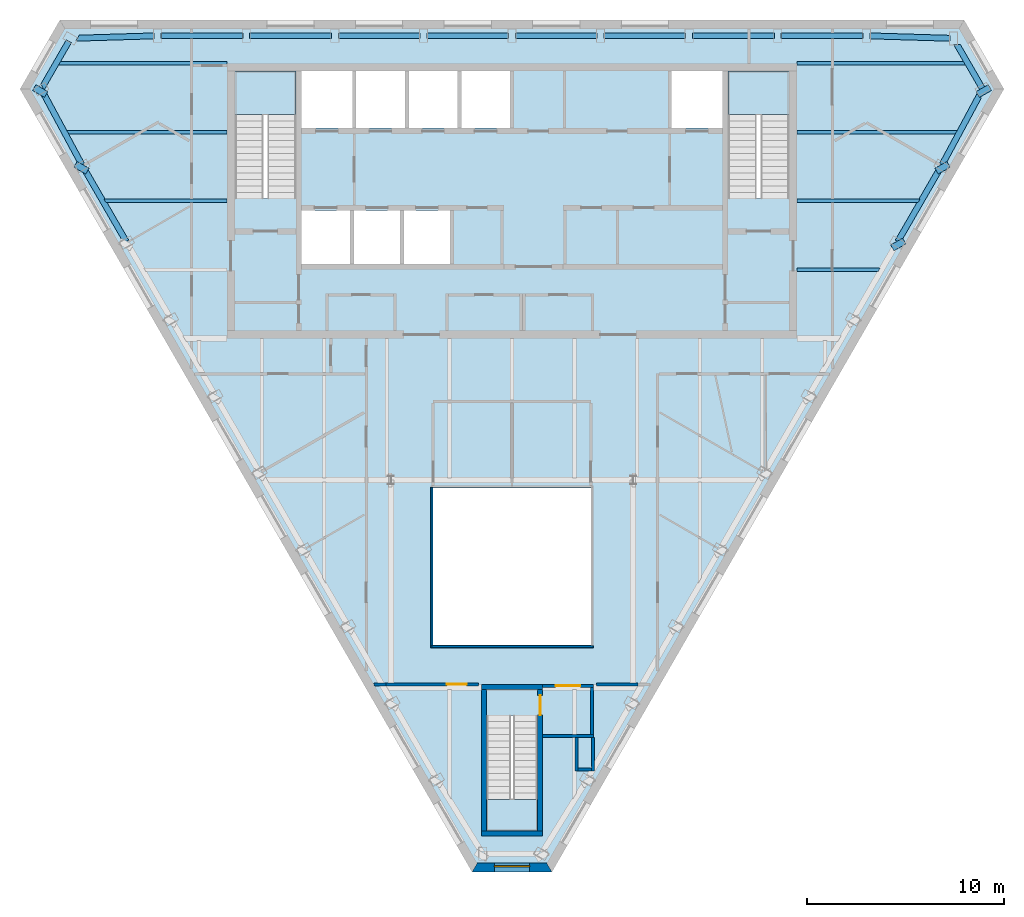
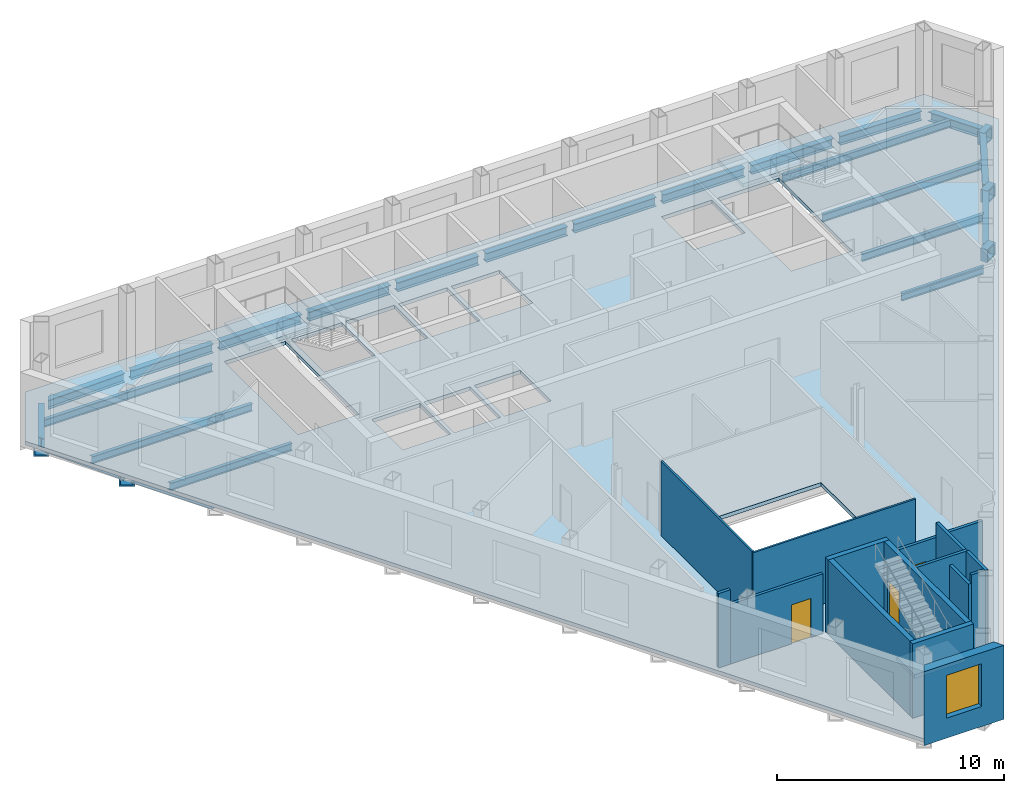
# One storey, part 3 of 10: 28 beams, 16 walls, 4 slabs, 3 doors, 1 window, 4 openings, 3 elements without a shape of their own.
"""IFC4 building model written with IfcOpenShell, lengths in metres."""

from ifc_helpers import new_model, si_unit, direction, frame, frame_2d, origin, origin_2d, place, context, subcontext, project, spatial, polyline, rectangle, hollow_rectangle, i_section, outline, extrude, clip, halfspace, material, layer, layer_set, material_profile, profile_set, type_object, element, fill, aggregate, save


model = new_model("IFC4")

# Units and contexts
model_context = context("Model", 3, precision=1e-05, world=origin(), true_north=direction((0.0, 1.0)))
body_context = subcontext(model_context, "Body", "Model", "MODEL_VIEW")
ifc_project = project(units=[si_unit("LENGTHUNIT", "METRE"), si_unit("AREAUNIT", "SQUARE_METRE"), si_unit("VOLUMEUNIT", "CUBIC_METRE"), si_unit("PLANEANGLEUNIT", "RADIAN"), si_unit("MASSUNIT", "GRAM", prefix="KILO")], contexts=[model_context])

# Site, building, storey
site_placement = place(None, origin())
site = spatial("IfcSite", under=ifc_project, at=site_placement, CompositionType="ELEMENT")
building_placement = place(site_placement, origin())
building = spatial("IfcBuilding", under=site, at=building_placement, Name="Njiva Tower", CompositionType="ELEMENT")
storey_placement = place(building_placement, frame((0.0, 0.0, 329.4)))
storey = spatial("IfcBuildingStorey", under=building, at=storey_placement, Name="L75", CompositionType="ELEMENT", Elevation=329.4)

# Beams
ifc_material_1 = material(Name="Steel S355 J2", Category="steel")
ifc_material_profile_1 = material_profile(ifc_material_1, hollow_rectangle(XDim=0.7, YDim=0.7, WallThickness=0.08, at=origin_2d()), Name="BOX 700x700x80")
ifc_profile_set_1 = profile_set([ifc_material_profile_1], Name="Steel S355 J2")
beam_type_1 = type_object("IfcBeamType", Name="B19 Column jog beam BOX 700x700x80", PredefinedType="BEAM", material=ifc_profile_set_1)
beam_1_placement = place(storey_placement, frame((-24.088, 16.441, -0.55), z_axis=(0.499298623879, 0.866429964967, 0.0), x_axis=(-0.866429964967, 0.499298623879, 0.0)))
element("IfcBeam", 1, at=beam_1_placement, inside=storey, type_object=beam_type_1, Name="Column jog beam S26-B013", PredefinedType="BEAM", context=body_context, shape_type="SweptSolid", body=[
    extrude(hollow_rectangle(XDim=0.7, YDim=0.7, WallThickness=0.08, at=origin_2d()), origin(), (0.0, 0.0, 1.0), 0.3405),
])
for number, where, z_axis, x_axis, name in (
    (2, (-21.988, 12.539, -0.55), (0.500571914019, 0.865694957185, 0.0), (-0.865694957185, 0.500571914019, 0.0), "Column jog beam S26-B014"),
    (3, (19.735, 8.636, -0.55), (-0.500571914019, 0.865694957185, 0.0), (-0.865694957185, -0.500571914019, 0.0), "Column jog beam S26-B034"),
    (4, (21.988, 12.539, -0.55), (-0.500571914019, 0.865694957185, 0.0), (-0.865694957185, -0.500571914019, 0.0), "Column jog beam S26-B035"),
):
    element("IfcBeam", number, at=place(storey_placement, frame(where, z_axis=z_axis, x_axis=x_axis)), inside=storey, type_object=beam_type_1, Name=name, PredefinedType="BEAM", context=body_context, shape_type="SweptSolid", body=[
        extrude(hollow_rectangle(XDim=0.7, YDim=0.7, WallThickness=0.08, at=origin_2d()), origin(), (0.0, 0.0, 1.0), 0.3396),
    ])
beam_2_placement = place(storey_placement, frame((24.088, 16.441, -0.55), z_axis=(-0.499298623879, 0.866429964967, 0.0), x_axis=(-0.866429964967, -0.499298623879, 0.0)))
element("IfcBeam", 5, at=beam_2_placement, inside=storey, type_object=beam_type_1, Name="Column jog beam S26-B036", PredefinedType="BEAM", context=body_context, shape_type="SweptSolid", body=[
    extrude(hollow_rectangle(XDim=0.7, YDim=0.7, WallThickness=0.08, at=origin_2d()), origin(), (0.0, 0.0, 1.0), 0.3405),
])
ifc_material_profile_2 = material_profile(ifc_material_1, i_section(OverallWidth=0.3, OverallDepth=0.49, WebThickness=0.012, FlangeThickness=0.023, at=origin_2d()), Name="HEA 500")
ifc_profile_set_2 = profile_set([ifc_material_profile_2], Name="Steel S355 J2")
beam_type_2 = type_object("IfcBeamType", Name="B48 Short-span spandrel beam HEA 500", PredefinedType="SPANDREL", material=ifc_profile_set_2)
beam_3_placement = place(storey_placement, frame((22.277, 19.272, -0.445), z_axis=(-0.999544102072, 0.030192515853, 0.0), x_axis=(-0.030192515853, -0.999544102072, 0.0)))
element("IfcBeam", 6, at=beam_3_placement, inside=storey, type_object=beam_type_2, Name="Short-span spandrel beam S26-B109", PredefinedType="SPANDREL", context=body_context, shape_type="SweptSolid", body=[
    extrude(i_section(OverallWidth=0.3, OverallDepth=0.49, WebThickness=0.012, FlangeThickness=0.023, at=origin_2d()), origin(), (0.0, 0.0, 1.0), 4.0739),
])
beam_4_placement = place(storey_placement, frame((17.851, 19.4, -0.445), z_axis=(-1.0, 0.0, 0.0), x_axis=(0.0, -1.0, 0.0)))
element("IfcBeam", 7, at=beam_4_placement, inside=storey, type_object=beam_type_2, Name="Short-span spandrel beam S26-B104", PredefinedType="SPANDREL", context=body_context, shape_type="SweptSolid", body=[
    extrude(i_section(OverallWidth=0.3, OverallDepth=0.49, WebThickness=0.012, FlangeThickness=0.023, at=origin_2d()), origin(), (0.0, 0.0, 1.0), 4.156),
])
beam_5_placement = place(storey_placement, frame((13.345, 19.4, -0.445), z_axis=(-1.0, 0.0, 0.0), x_axis=(0.0, -1.0, 0.0)))
element("IfcBeam", 8, at=beam_5_placement, inside=storey, type_object=beam_type_2, Name="Short-span spandrel beam S26-B099", PredefinedType="SPANDREL", context=body_context, shape_type="SweptSolid", body=[
    extrude(i_section(OverallWidth=0.3, OverallDepth=0.49, WebThickness=0.012, FlangeThickness=0.023, at=origin_2d()), origin(), (0.0, 0.0, 1.0), 4.157),
])
beam_6_placement = place(storey_placement, frame((8.838, 19.4, -0.445), z_axis=(-1.0, 0.0, 0.0), x_axis=(0.0, -1.0, 0.0)))
element("IfcBeam", 9, at=beam_6_placement, inside=storey, type_object=beam_type_2, Name="Short-span spandrel beam S26-B094", PredefinedType="SPANDREL", context=body_context, shape_type="SweptSolid", body=[
    extrude(i_section(OverallWidth=0.3, OverallDepth=0.49, WebThickness=0.012, FlangeThickness=0.023, at=origin_2d()), origin(), (0.0, 0.0, 1.0), 4.156),
])
for number, where, z_axis, x_axis, name in (
    (10, (4.332, 19.4, -0.445), (-1.0, 0.0, 0.0), (0.0, -1.0, 0.0), "Short-span spandrel beam S26-B089"),
    (11, (-0.175, 19.4, -0.445), (-1.0, 0.0, 0.0), (0.0, -1.0, 0.0), "Short-span spandrel beam S26-B084"),
):
    element("IfcBeam", number, at=place(storey_placement, frame(where, z_axis=z_axis, x_axis=x_axis)), inside=storey, type_object=beam_type_2, Name=name, PredefinedType="SPANDREL", context=body_context, shape_type="SweptSolid", body=[
        extrude(i_section(OverallWidth=0.3, OverallDepth=0.49, WebThickness=0.012, FlangeThickness=0.023, at=origin_2d()), origin(), (0.0, 0.0, 1.0), 4.157),
    ])
beam_7_placement = place(storey_placement, frame((-4.682, 19.4, -0.445), z_axis=(-1.0, 0.0, 0.0), x_axis=(0.0, -1.0, 0.0)))
element("IfcBeam", 12, at=beam_7_placement, inside=storey, type_object=beam_type_2, Name="Short-span spandrel beam S26-B079", PredefinedType="SPANDREL", context=body_context, shape_type="SweptSolid", body=[
    extrude(i_section(OverallWidth=0.3, OverallDepth=0.49, WebThickness=0.012, FlangeThickness=0.023, at=origin_2d()), origin(), (0.0, 0.0, 1.0), 4.156),
])
beam_8_placement = place(storey_placement, frame((-9.188, 19.4, -0.445), z_axis=(-1.0, 0.0, 0.0), x_axis=(0.0, -1.0, 0.0)))
element("IfcBeam", 13, at=beam_8_placement, inside=storey, type_object=beam_type_2, Name="Short-span spandrel beam S26-B074", PredefinedType="SPANDREL", context=body_context, shape_type="SweptSolid", body=[
    extrude(i_section(OverallWidth=0.3, OverallDepth=0.49, WebThickness=0.012, FlangeThickness=0.023, at=origin_2d()), origin(), (0.0, 0.0, 1.0), 4.157),
])
beam_9_placement = place(storey_placement, frame((-13.695, 19.4, -0.445), z_axis=(-1.0, 0.0, 0.0), x_axis=(0.0, -1.0, 0.0)))
element("IfcBeam", 14, at=beam_9_placement, inside=storey, type_object=beam_type_2, Name="Short-span spandrel beam S26-B069", PredefinedType="SPANDREL", context=body_context, shape_type="SweptSolid", body=[
    extrude(i_section(OverallWidth=0.3, OverallDepth=0.49, WebThickness=0.012, FlangeThickness=0.023, at=origin_2d()), origin(), (0.0, 0.0, 1.0), 4.156),
])
beam_10_placement = place(storey_placement, frame((-18.205, 19.395, -0.445), z_axis=(-0.999542354349, -0.030250320034, 0.0), x_axis=(0.030250320034, -0.999542354349, 0.0)))
element("IfcBeam", 15, at=beam_10_placement, inside=storey, type_object=beam_type_2, Name="Short-span spandrel beam S26-B064", PredefinedType="SPANDREL", context=body_context, shape_type="Clipping", body=[
    clip(extrude(i_section(OverallWidth=0.3, OverallDepth=0.49, WebThickness=0.012, FlangeThickness=0.023, at=origin_2d()), origin(), (0.0, 0.0, 1.0), 4.0138), halfspace(frame((-0.0268, 0.0, 3.8841), z_axis=(-0.525966768254, 0.0, 0.850505119734), x_axis=(0.0, 1.0, 0.0)), False)),
])
beam_11_placement = place(storey_placement, frame((-22.544, 19.116, -0.445), z_axis=(-0.499948361456, -0.866055215259, 0.0), x_axis=(0.866055215259, -0.499948361456, 0.0)))
element("IfcBeam", 16, at=beam_11_placement, inside=storey, type_object=beam_type_2, Name="Short-span spandrel beam S26-B060", PredefinedType="SPANDREL", context=body_context, shape_type="Clipping", body=[
    clip(extrude(i_section(OverallWidth=0.3, OverallDepth=0.49, WebThickness=0.012, FlangeThickness=0.023, at=origin_2d()), origin(), (0.0, 0.0, 1.0), 2.7893), halfspace(frame((-0.0246, 0.0, 2.6678), z_axis=(-0.500053626908, 0.0, 0.865994440061), x_axis=(0.0, 1.0, 0.0)), False)),
])
beam_12_placement = place(storey_placement, frame((-23.811, 16.429, -0.445), z_axis=(0.473821637222, -0.880620835604, 0.0), x_axis=(0.880620835604, 0.473821637222, 0.0)))
element("IfcBeam", 17, at=beam_12_placement, inside=storey, type_object=beam_type_2, Name="Short-span spandrel beam S26-B062", PredefinedType="SPANDREL", context=body_context, shape_type="SweptSolid", body=[
    extrude(i_section(OverallWidth=0.3, OverallDepth=0.49, WebThickness=0.012, FlangeThickness=0.023, at=origin_2d()), origin(), (0.0, 0.0, 1.0), 4.0733),
])
for number, where, z_axis, x_axis, name in (
    (18, (-21.706, 12.535, -0.445), (0.500097243556, -0.865969252911, 0.0), (0.865969252911, 0.500097243556, 0.0), "Short-span spandrel beam S26-B066"),
    (19, (19.627, 8.935, -0.445), (0.500097243556, 0.865969252911, 0.0), (-0.865969252911, 0.500097243556, 0.0), "Short-span spandrel beam S26-B110"),
):
    element("IfcBeam", number, at=place(storey_placement, frame(where, z_axis=z_axis, x_axis=x_axis)), inside=storey, type_object=beam_type_2, Name=name, PredefinedType="SPANDREL", context=body_context, shape_type="SweptSolid", body=[
        extrude(i_section(OverallWidth=0.3, OverallDepth=0.49, WebThickness=0.012, FlangeThickness=0.023, at=origin_2d()), origin(), (0.0, 0.0, 1.0), 4.1572),
    ])
beam_13_placement = place(storey_placement, frame((21.881, 12.842, -0.445), z_axis=(0.473742932828, 0.88066317829, 0.0), x_axis=(-0.88066317829, 0.473742932828, 0.0)))
element("IfcBeam", 20, at=beam_13_placement, inside=storey, type_object=beam_type_2, Name="Short-span spandrel beam S26-B112", PredefinedType="SPANDREL", context=body_context, shape_type="Clipping", body=[
    clip(extrude(i_section(OverallWidth=0.3, OverallDepth=0.49, WebThickness=0.012, FlangeThickness=0.023, at=origin_2d()), origin(), (0.0, 0.0, 1.0), 4.1236), halfspace(frame((-0.0261, 0.0, 3.9938), z_axis=(-0.525807172935, 0.0, 0.850603795483), x_axis=(0.0, 1.0, 0.0)), False)),
])
beam_14_placement = place(storey_placement, frame((23.948, 16.684, -0.445), z_axis=(-0.500258641218, 0.865876025702, 0.0), x_axis=(-0.865876025702, -0.500258641218, 0.0)))
element("IfcBeam", 21, at=beam_14_placement, inside=storey, type_object=beam_type_2, Name="Short-span spandrel beam S26-B115", PredefinedType="SPANDREL", context=body_context, shape_type="Clipping", body=[
    clip(extrude(i_section(OverallWidth=0.3, OverallDepth=0.49, WebThickness=0.012, FlangeThickness=0.023, at=origin_2d()), origin(), (0.0, 0.0, 1.0), 2.7436), halfspace(frame((-0.0254, 0.0, 2.622), z_axis=(-0.500258641218, 0.0, 0.865876025702), x_axis=(0.0, 1.0, 0.0)), False)),
])
ifc_material_profile_3 = material_profile(ifc_material_1, i_section(OverallWidth=0.18, OverallDepth=0.4, WebThickness=0.0086, FlangeThickness=0.0135, at=origin_2d()), Name="IPE 400")
ifc_profile_set_3 = profile_set([ifc_material_profile_3], Name="Steel S355 J2")
beam_type_3 = type_object("IfcBeamType", Name="B51 Floor beam to the core IPE 400", PredefinedType="BEAM", material=ifc_profile_set_3)
beam_15_placement = place(storey_placement, frame((-20.776, 11.0, -0.4), z_axis=(1.0, 0.0, 0.0), x_axis=(0.0, 1.0, 0.0)))
element("IfcBeam", 22, at=beam_15_placement, inside=storey, type_object=beam_type_3, Name="Floor beam to the core S26-B003", PredefinedType="BEAM", context=body_context, shape_type="Clipping", body=[
    clip(extrude(i_section(OverallWidth=0.18, OverallDepth=0.4, WebThickness=0.0086, FlangeThickness=0.0135, at=origin_2d()), origin(), (0.0, 0.0, 1.0), 6.276), halfspace(frame((-0.025, 0.0, 0.0863), z_axis=(-0.499998009787, 0.0, -0.866026552831), x_axis=(0.0, -1.0, 0.0)), False)),
])
beam_16_placement = place(storey_placement, frame((14.5, 11.0, -0.4), z_axis=(1.0, 0.0, 0.0), x_axis=(0.0, 1.0, 0.0)))
element("IfcBeam", 23, at=beam_16_placement, inside=storey, type_object=beam_type_3, Name="Floor beam to the core S26-B006", PredefinedType="BEAM", context=body_context, shape_type="Clipping", body=[
    clip(extrude(i_section(OverallWidth=0.18, OverallDepth=0.4, WebThickness=0.0086, FlangeThickness=0.0135, at=origin_2d()), origin(), (0.0, 0.0, 1.0), 6.276), halfspace(frame((-0.025, 0.0, 6.1897), z_axis=(-0.499998009787, 0.0, 0.866026552831), x_axis=(0.0, 1.0, 0.0)), False)),
])
beam_17_placement = place(storey_placement, frame((-22.727, 14.5, -0.4), z_axis=(1.0, 0.0, 0.0), x_axis=(0.0, 1.0, 0.0)))
element("IfcBeam", 24, at=beam_17_placement, inside=storey, type_object=beam_type_3, Name="Floor beam to the core S26-B002", PredefinedType="BEAM", context=body_context, shape_type="Clipping", body=[
    clip(extrude(i_section(OverallWidth=0.18, OverallDepth=0.4, WebThickness=0.0086, FlangeThickness=0.0135, at=origin_2d()), origin(), (0.0, 0.0, 1.0), 8.227), halfspace(frame((-0.0237, 0.0, 0.0806), z_axis=(-0.47376166762, 0.0, -0.88065309986), x_axis=(0.0, -1.0, 0.0)), False)),
])
beam_18_placement = place(storey_placement, frame((14.5, 14.5, -0.4), z_axis=(1.0, 0.0, 0.0), x_axis=(0.0, 1.0, 0.0)))
element("IfcBeam", 25, at=beam_18_placement, inside=storey, type_object=beam_type_3, Name="Floor beam to the core S26-B007", PredefinedType="BEAM", context=body_context, shape_type="Clipping", body=[
    clip(extrude(i_section(OverallWidth=0.18, OverallDepth=0.4, WebThickness=0.0086, FlangeThickness=0.0135, at=origin_2d()), origin(), (0.0, 0.0, 1.0), 8.227), halfspace(frame((-0.0237, 0.0, 8.1464), z_axis=(-0.47376166762, 0.0, 0.88065309986), x_axis=(0.0, 1.0, 0.0)), False)),
])
beam_19_placement = place(storey_placement, frame((-23.144, 18.0, -0.4), z_axis=(1.0, 0.0, 0.0), x_axis=(0.0, 1.0, 0.0)))
element("IfcBeam", 26, at=beam_19_placement, inside=storey, type_object=beam_type_3, Name="Floor beam to the core S26-B001", PredefinedType="BEAM", context=body_context, shape_type="Clipping", body=[
    clip(extrude(i_section(OverallWidth=0.18, OverallDepth=0.4, WebThickness=0.0086, FlangeThickness=0.0135, at=origin_2d()), origin(), (0.0, 0.0, 1.0), 8.644), halfspace(frame((0.025, 0.0, 0.0862), z_axis=(0.499998009787, 0.0, -0.866026552831), x_axis=(0.0, -1.0, 0.0)), False)),
])
beam_20_placement = place(storey_placement, frame((14.5, 18.0, -0.4), z_axis=(1.0, 0.0, 0.0), x_axis=(0.0, 1.0, 0.0)))
element("IfcBeam", 27, at=beam_20_placement, inside=storey, type_object=beam_type_3, Name="Floor beam to the core S26-B008", PredefinedType="BEAM", context=body_context, shape_type="Clipping", body=[
    clip(extrude(i_section(OverallWidth=0.18, OverallDepth=0.4, WebThickness=0.0086, FlangeThickness=0.0135, at=origin_2d()), origin(), (0.0, 0.0, 1.0), 8.644), halfspace(frame((0.025, 0.0, 8.5578), z_axis=(0.499998009787, 0.0, 0.866026552831), x_axis=(0.0, 1.0, 0.0)), False)),
])
ifc_material_profile_4 = material_profile(ifc_material_1, i_section(OverallWidth=0.18, OverallDepth=0.4, WebThickness=0.0086, FlangeThickness=0.0135, at=origin_2d()), Name="IPE 400")
ifc_profile_set_4 = profile_set([ifc_material_profile_4], Name="Steel S355 J2")
beam_type_4 = type_object("IfcBeamType", Name="B56 Short-span floor beam to the core IPE 400", PredefinedType="BEAM", material=ifc_profile_set_4)
beam_21_placement = place(storey_placement, frame((14.5, 7.5, -0.4), z_axis=(1.0, 0.0, 0.0), x_axis=(0.0, 1.0, 0.0)))
element("IfcBeam", 28, at=beam_21_placement, inside=storey, type_object=beam_type_4, Name="Short-span floor beam to the core S26-B005", PredefinedType="BEAM", context=body_context, shape_type="Clipping", body=[
    clip(extrude(i_section(OverallWidth=0.18, OverallDepth=0.4, WebThickness=0.0086, FlangeThickness=0.0135, at=origin_2d()), origin(), (0.0, 0.0, 1.0), 4.255), halfspace(frame((-0.025, 0.0, 4.169), z_axis=(-0.499998009787, 0.0, 0.866026552831), x_axis=(0.0, 1.0, 0.0)), False)),
])

# Stair, slab
ifc_material_2 = material(Name="Concrete C40/50", Category="concrete")
stair_type_1 = type_object("IfcStairType", Name="ST3 Exit stair 1450", PredefinedType="HALF_TURN_STAIR", material=ifc_material_2)
stair_1_placement = place(storey_placement, origin())
stair_1 = element("IfcStair", 29, at=stair_1_placement, inside=storey, type_object=stair_type_1, Name="Stair A", PredefinedType="HALF_TURN_STAIR")
ifc_layer_1 = layer(ifc_material_2, 0.2)
ifc_layer_set_1 = layer_set([ifc_layer_1], Name="Concrete C40/50")
slab_type_1 = type_object("IfcSlabType", Name="FL9 Stair landing 200", PredefinedType="LANDING", material=ifc_layer_set_1)
slab_1_placement = place(storey_placement, frame((0.0, 0.0, 1.9)))
slab_1 = element("IfcSlab", 30, at=slab_1_placement, type_object=slab_type_1, Name="ST-A landing 1", PredefinedType="LANDING", context=body_context, shape_type="SweptSolid", body=[
    extrude(outline(polyline([(-14.106, 15.39), (-10.994, 15.39), (-10.994, 17.6), (-14.106, 17.6), (-14.106, 15.39)])), origin(), (0.0, 0.0, 1.0), 0.2),
])
aggregate(stair_1, [slab_1])

stair_2_placement = place(storey_placement, origin())
stair_2 = element("IfcStair", 31, at=stair_2_placement, inside=storey, type_object=stair_type_1, Name="Stair B", PredefinedType="HALF_TURN_STAIR")
slab_2_placement = place(storey_placement, frame((0.0, 0.0, 1.9)))
slab_2 = element("IfcSlab", 32, at=slab_2_placement, type_object=slab_type_1, Name="ST-B landing 1", PredefinedType="LANDING", context=body_context, shape_type="SweptSolid", body=[
    extrude(outline(polyline([(10.994, 15.39), (14.106, 15.39), (14.106, 17.6), (10.994, 17.6), (10.994, 15.39)])), origin(), (0.0, 0.0, 1.0), 0.2),
])
aggregate(stair_2, [slab_2])

stair_type_2 = type_object("IfcStairType", Name="ST1 Exit stair 1250", PredefinedType="HALF_TURN_STAIR", material=ifc_material_2)
stair_3_placement = place(storey_placement, origin())
stair_3 = element("IfcStair", 33, at=stair_3_placement, inside=storey, type_object=stair_type_2, Name="Stair C", PredefinedType="HALF_TURN_STAIR")
slab_3_placement = place(storey_placement, frame((0.0, 0.0, 1.9)))
slab_3 = element("IfcSlab", 34, at=slab_3_placement, type_object=slab_type_1, Name="ST-C landing 1", PredefinedType="LANDING", context=body_context, shape_type="SweptSolid", body=[
    extrude(outline(polyline([(-1.306, -21.05), (1.306, -21.05), (1.306, -19.45), (-1.306, -19.45), (-1.306, -21.05)])), origin(), (0.0, 0.0, 1.0), 0.2),
])
aggregate(stair_3, [slab_3])

# Slab
ifc_material_3 = material(Name="Concrete C30/37", Category="concrete")
ifc_layer_2 = layer(ifc_material_3, 0.2)
ifc_layer_set_2 = layer_set([ifc_layer_2], Name="Concrete C30/37")
slab_type_2 = type_object("IfcSlabType", Name="SL16 Composite floor slab 200", PredefinedType="FLOOR", material=ifc_layer_set_2)
slab_4_placement = place(storey_placement, frame((0.0, 0.0, -0.2)))
element("IfcSlab", 35, at=slab_4_placement, inside=storey, type_object=slab_type_2, Name="Floor slab L75", PredefinedType="FLOOR", context=body_context, shape_type="SweptSolid", body=[
    extrude(outline(polyline([(24.7652, 16.6839), (1.9001, -22.9196), (-1.9001, -22.9196), (-24.7652, 16.6839), (-22.8651, 19.975), (22.8651, 19.975), (24.7652, 16.6839)]), holes=[polyline([(10.994, 11.13), (14.106, 11.13), (14.106, 17.6), (10.994, 17.6), (10.994, 11.13)]), polyline([(8.125, 14.7), (10.7, 14.7), (10.7, 17.6), (8.125, 17.6), (8.125, 14.7)]), polyline([(4.01, -11.6), (4.01, -3.6), (-4.01, -3.6), (-4.01, -11.6), (4.01, -11.6)]), polyline([(1.306, -21.05), (1.306, -15.19), (-1.306, -15.19), (-1.306, -21.05), (1.306, -21.05)]), polyline([(-2.575, 14.7), (-0.1, 14.7), (-0.1, 17.6), (-2.575, 17.6), (-2.575, 14.7)]), polyline([(-2.775, 14.7), (-2.775, 17.6), (-5.25, 17.6), (-5.25, 14.7), (-2.775, 14.7)]), polyline([(-5.5, 7.8), (-3.15, 7.8), (-3.15, 10.5), (-5.5, 10.5), (-5.5, 7.8)]), polyline([(-7.925, 14.7), (-5.45, 14.7), (-5.45, 17.6), (-7.925, 17.6), (-7.925, 14.7)]), polyline([(-8.05, 7.8), (-5.7, 7.8), (-5.7, 10.5), (-8.05, 10.5), (-8.05, 7.8)]), polyline([(-10.7, 14.7), (-8.125, 14.7), (-8.125, 17.6), (-10.7, 17.6), (-10.7, 14.7)]), polyline([(-8.25, 7.8), (-8.25, 10.5), (-10.7, 10.5), (-10.7, 7.8), (-8.25, 7.8)]), polyline([(-10.994, 11.13), (-10.994, 17.6), (-14.106, 17.6), (-14.106, 11.13), (-10.994, 11.13)])]), origin(), (0.0, 0.0, 1.0), 0.2),
])

# Wall
ifc_material_4 = material(Name="Gypsum board on steel studs", Category="gypsum")
ifc_layer_3 = layer(ifc_material_4, 0.15)
ifc_layer_set_3 = layer_set([ifc_layer_3], Name="Gypsum board on steel studs")
wall_type_1 = type_object("IfcWallType", Name="WT21 Compartment wall 150", PredefinedType="PARTITIONING", material=ifc_layer_set_3)
wall_1_placement = place(storey_placement, frame((-7.021, -13.6, 0.0), z_axis=(0.0, 0.0, 1.0), x_axis=(1.0, 0.0, 0.0)))
element("IfcWall", 36, at=wall_1_placement, inside=storey, type_object=wall_type_1, Name="Partition S26-P011", PredefinedType="PARTITIONING", context=body_context, shape_type="SweptSolid", body=[
    extrude(rectangle(XDim=0.606, YDim=0.15, at=frame_2d((0.303, 0.0))), origin(), (0.0, 0.0, 1.0), 4.0),
])

# Wall, opening, door
wall_2_placement = place(storey_placement, frame((-6.415, -13.6, 0.0), z_axis=(0.0, 0.0, 1.0), x_axis=(1.0, 0.0, 0.0)))
wall_2 = element("IfcWall", 37, at=wall_2_placement, inside=storey, type_object=wall_type_1, Name="Partition S26-P011A", PredefinedType="PARTITIONING", context=body_context, shape_type="SweptSolid", body=[
    extrude(rectangle(XDim=4.715, YDim=0.15, at=frame_2d((2.3575, 0.0))), origin(), (0.0, 0.0, 1.0), 3.21),
])
opening_1_placement = place(wall_2_placement, frame((3.105, 0.0, 0.0)))
opening_1 = element("IfcOpeningElement", 38, at=opening_1_placement, cuts=wall_2, Name="Opening S26-D010", PredefinedType="OPENING", context=body_context, shape_type="SweptSolid", body=[
    extrude(rectangle(XDim=1.0, YDim=2.1, at=frame_2d((0.5, 1.05))), frame((0.0, 0.085, 0.0), z_axis=(0.0, -1.0, 0.0), x_axis=(1.0, 0.0, 0.0)), (0.0, 0.0, 1.0), 0.17),
])
ifc_material_5 = material(Name="Steel fire door set", Category="steel")
door_type_1 = type_object("IfcDoorType", Name="D37 Fire door 1000x2100", OperationType="SINGLE_SWING_LEFT", PredefinedType="DOOR", material=ifc_material_5)
door_1_placement = place(opening_1_placement, origin())
door_1 = element("IfcDoor", 39, at=door_1_placement, inside=storey, type_object=door_type_1, Name="Door S26-D010", OperationType="SINGLE_SWING_RIGHT", OverallHeight=2.1, OverallWidth=1.0, PredefinedType="DOOR", context=body_context, shape_type="SweptSolid", body=[
    extrude(rectangle(XDim=1.0, YDim=2.1, at=frame_2d((0.5, 1.05))), frame((0.0, 0.025, 0.0), z_axis=(0.0, -1.0, 0.0), x_axis=(1.0, 0.0, 0.0)), (0.0, 0.0, 1.0), 0.05),
])
fill(opening_1, door_1)

# Walls
wall_3_placement = place(storey_placement, frame((4.3, -13.6, 0.0), z_axis=(0.0, 0.0, 1.0), x_axis=(1.0, 0.0, 0.0)))
element("IfcWall", 40, at=wall_3_placement, inside=storey, type_object=wall_type_1, Name="Partition S26-P016", PredefinedType="PARTITIONING", context=body_context, shape_type="SweptSolid", body=[
    extrude(rectangle(XDim=2.115, YDim=0.15, at=frame_2d((1.0575, 0.0))), origin(), (0.0, 0.0, 1.0), 3.21),
])
ifc_material_6 = material(Name="Blockwork", Category="masonry")
ifc_layer_4 = layer(ifc_material_6, 0.15)
ifc_layer_set_4 = layer_set([ifc_layer_4], Name="Blockwork")
wall_type_2 = type_object("IfcWallType", Name="WT4 Stair partition 150", PredefinedType="PARTITIONING", material=ifc_layer_set_4)
wall_4_placement = place(storey_placement, frame((1.55, -16.225, 0.0), z_axis=(0.0, 0.0, 1.0), x_axis=(1.0, 0.0, 0.0)))
element("IfcWall", 41, at=wall_4_placement, inside=storey, type_object=wall_type_2, Name="Stair C vestibule wall south", PredefinedType="PARTITIONING", context=body_context, shape_type="SweptSolid", body=[
    extrude(rectangle(XDim=2.6, YDim=0.15, at=frame_2d((1.3, 0.0))), origin(), (0.0, 0.0, 1.0), 4.0),
])
wall_5_placement = place(storey_placement, frame((4.075, -16.15, 0.0), z_axis=(0.0, 0.0, 1.0), x_axis=(0.0, 1.0, 0.0)))
element("IfcWall", 42, at=wall_5_placement, inside=storey, type_object=wall_type_2, Name="Stair C vestibule wall east", PredefinedType="PARTITIONING", context=body_context, shape_type="SweptSolid", body=[
    extrude(rectangle(XDim=2.4, YDim=0.15, at=frame_2d((1.2, 0.0))), origin(), (0.0, 0.0, 1.0), 4.0),
])

# Wall, opening, door
wall_6_placement = place(storey_placement, frame((1.55, -13.675, 0.0), z_axis=(0.0, 0.0, 1.0), x_axis=(1.0, 0.0, 0.0)))
wall_6 = element("IfcWall", 43, at=wall_6_placement, inside=storey, type_object=wall_type_2, Name="Stair C vestibule wall north", PredefinedType="PARTITIONING", context=body_context, shape_type="SweptSolid", body=[
    extrude(rectangle(XDim=2.6, YDim=0.15, at=frame_2d((1.3, 0.0))), origin(), (0.0, 0.0, 1.0), 3.21),
])
opening_2_placement = place(wall_6_placement, frame((0.675, 0.0, 0.0)))
opening_2 = element("IfcOpeningElement", 44, at=opening_2_placement, cuts=wall_6, Name="Opening S26-D931", PredefinedType="OPENING", context=body_context, shape_type="SweptSolid", body=[
    extrude(rectangle(XDim=1.25, YDim=2.1, at=frame_2d((0.625, 1.05))), frame((0.0, 0.085, 0.0), z_axis=(0.0, -1.0, 0.0), x_axis=(1.0, 0.0, 0.0)), (0.0, 0.0, 1.0), 0.17),
])
ifc_material_7 = material(Name="Glazed steel fire door", Category="steel")
door_type_2 = type_object("IfcDoorType", Name="D8 Vestibule corridor door 1250x2100 glazed", OperationType="SINGLE_SWING_LEFT", PredefinedType="DOOR", material=ifc_material_7)
door_2_placement = place(opening_2_placement, origin())
door_2 = element("IfcDoor", 45, at=door_2_placement, inside=storey, type_object=door_type_2, Name="Stair vestibule corridor door", OperationType="SINGLE_SWING_RIGHT", OverallHeight=2.1, OverallWidth=1.25, PredefinedType="DOOR", context=body_context, shape_type="SweptSolid", body=[
    extrude(rectangle(XDim=1.25, YDim=2.1, at=frame_2d((0.625, 1.05))), frame((0.0, 0.025, 0.0), z_axis=(0.0, -1.0, 0.0), x_axis=(1.0, 0.0, 0.0)), (0.0, 0.0, 1.0), 0.05),
])
fill(opening_2, door_2)

# Walls
wall_7_placement = place(storey_placement, frame((3.275, -18.0, 0.0), z_axis=(0.0, 0.0, 1.0), x_axis=(0.0, 1.0, 0.0)))
element("IfcWall", 46, at=wall_7_placement, inside=storey, type_object=wall_type_2, Name="Stair C pressurisation shaft wall", PredefinedType="PARTITIONING", context=body_context, shape_type="SweptSolid", body=[
    extrude(rectangle(XDim=1.7, YDim=0.15, at=frame_2d((0.85, 0.0))), origin(), (0.0, 0.0, 1.0), 3.55),
])
wall_8_placement = place(storey_placement, frame((3.35, -17.925, 0.0), z_axis=(0.0, 0.0, 1.0), x_axis=(1.0, 0.0, 0.0)))
element("IfcWall", 47, at=wall_8_placement, inside=storey, type_object=wall_type_2, Name="Stair C pressurisation shaft wall", PredefinedType="PARTITIONING", context=body_context, shape_type="SweptSolid", body=[
    extrude(rectangle(XDim=0.7, YDim=0.15, at=frame_2d((0.35, 0.0))), origin(), (0.0, 0.0, 1.0), 4.0),
])
wall_9_placement = place(storey_placement, frame((4.125, -18.0, 0.0), z_axis=(0.0, 0.0, 1.0), x_axis=(0.0, 1.0, 0.0)))
element("IfcWall", 48, at=wall_9_placement, inside=storey, type_object=wall_type_2, Name="Stair C pressurisation shaft wall", PredefinedType="PARTITIONING", context=body_context, shape_type="SweptSolid", body=[
    extrude(rectangle(XDim=1.7, YDim=0.15, at=frame_2d((0.85, 0.0))), origin(), (0.0, 0.0, 1.0), 4.0),
])
ifc_layer_5 = layer(ifc_material_2, 0.25)
ifc_layer_set_5 = layer_set([ifc_layer_5], Name="Concrete C40/50")
wall_type_3 = type_object("IfcWallType", Name="WT9 Stair enclosure wall 250", PredefinedType="SHEAR", material=ifc_layer_set_5)
wall_10_placement = place(storey_placement, frame((-1.425, -21.05, 0.0), z_axis=(0.0, 0.0, 1.0), x_axis=(0.0, 1.0, 0.0)))
element("IfcWall", 49, at=wall_10_placement, inside=storey, type_object=wall_type_3, Name="Stair C wall west", PredefinedType="SHEAR", context=body_context, shape_type="SweptSolid", body=[
    extrude(rectangle(XDim=7.2, YDim=0.25, at=frame_2d((3.6, 0.0))), origin(), (0.0, 0.0, 1.0), 4.0),
])

# Wall, opening, door
wall_11_placement = place(storey_placement, frame((1.425, -21.05, 0.0), z_axis=(0.0, 0.0, 1.0), x_axis=(0.0, 1.0, 0.0)))
wall_11 = element("IfcWall", 50, at=wall_11_placement, inside=storey, type_object=wall_type_3, Name="Stair C wall east", PredefinedType="SHEAR", context=body_context, shape_type="SweptSolid", body=[
    extrude(rectangle(XDim=7.2, YDim=0.25, at=frame_2d((3.6, 0.0))), origin(), (0.0, 0.0, 1.0), 4.0),
])
opening_3_placement = place(wall_11_placement, frame((5.89, 0.0, 0.0)))
opening_3 = element("IfcOpeningElement", 51, at=opening_3_placement, cuts=wall_11, Name="Opening S26-D930", PredefinedType="OPENING", context=body_context, shape_type="SweptSolid", body=[
    extrude(rectangle(XDim=1.0, YDim=2.1, at=frame_2d((0.5, 1.05))), frame((0.0, 0.135, 0.0), z_axis=(0.0, -1.0, 0.0), x_axis=(1.0, 0.0, 0.0)), (0.0, 0.0, 1.0), 0.27),
])
door_type_3 = type_object("IfcDoorType", Name="D9 Stair vestibule door 1000x2100 glazed", OperationType="SINGLE_SWING_LEFT", PredefinedType="DOOR", material=ifc_material_7)
door_3_placement = place(opening_3_placement, origin())
door_3 = element("IfcDoor", 52, at=door_3_placement, inside=storey, type_object=door_type_3, Name="Stair C door", OperationType="SINGLE_SWING_LEFT", OverallHeight=2.1, OverallWidth=1.0, PredefinedType="DOOR", context=body_context, shape_type="SweptSolid", body=[
    extrude(rectangle(XDim=1.0, YDim=2.1, at=frame_2d((0.5, 1.05))), frame((0.0, 0.025, 0.0), z_axis=(0.0, -1.0, 0.0), x_axis=(1.0, 0.0, 0.0)), (0.0, 0.0, 1.0), 0.05),
])
fill(opening_3, door_3)

# Walls
for number, where, z_axis, x_axis, name in (
    (53, (-1.55, -21.175, 0.0), (0.0, 0.0, 1.0), (1.0, 0.0, 0.0), "Stair C wall south"),
    (54, (-1.55, -13.725, 0.0), (0.0, 0.0, 1.0), (1.0, 0.0, 0.0), "Stair C wall north"),
):
    element("IfcWall", number, at=place(storey_placement, frame(where, z_axis=z_axis, x_axis=x_axis)), inside=storey, type_object=wall_type_3, Name=name, PredefinedType="SHEAR", context=body_context, shape_type="SweptSolid", body=[
        extrude(rectangle(XDim=3.1, YDim=0.25, at=frame_2d((1.55, 0.0))), origin(), (0.0, 0.0, 1.0), 4.0),
    ])

# Wall, opening, window
ifc_material_8 = material(Name="Brick masonry, buff", Category="masonry")
ifc_layer_6 = layer(ifc_material_8, 0.45)
ifc_layer_set_6 = layer_set([ifc_layer_6], Name="Brick masonry, buff")
wall_type_4 = type_object("IfcWallType", Name="WT94 Brick pier and spandrel wall 450, buff", PredefinedType="SOLIDWALL", material=ifc_layer_set_6)
wall_12_placement = place(storey_placement, frame((-1.9001, -22.9196, -0.18), z_axis=(0.0, 0.0, 1.0), x_axis=(1.0, 0.0, 0.0)))
wall_12 = element("IfcWall", 55, at=wall_12_placement, inside=storey, type_object=wall_type_4, Name="Facade wall S", PredefinedType="SOLIDWALL", context=body_context, shape_type="SweptSolid", body=[
    extrude(outline(polyline([(-0.1299, -0.225), (3.9301, -0.225), (3.6703, 0.225), (0.1299, 0.225), (-0.1299, -0.225)])), origin(), (0.0, 0.0, 1.0), 3.98),
])
opening_4_placement = place(wall_12_placement, frame((1.0001, 0.0, 1.08)))
opening_4 = element("IfcOpeningElement", 56, at=opening_4_placement, cuts=wall_12, Name="Opening S26-W17", PredefinedType="OPENING", context=body_context, shape_type="SweptSolid", body=[
    extrude(rectangle(XDim=1.8, YDim=2.3, at=frame_2d((0.9, 1.15))), frame((0.0, 0.235, 0.0), z_axis=(0.0, -1.0, 0.0), x_axis=(1.0, 0.0, 0.0)), (0.0, 0.0, 1.0), 0.47),
])
ifc_material_9 = material(Name="Clear glazing in aluminium frame", Category="aluminium")
window_type = type_object("IfcWindowType", Name="W95 Deep-set window 1800x2300", PartitioningType="SINGLE_PANEL", PredefinedType="WINDOW", material=ifc_material_9)
window_placement = place(opening_4_placement, origin())
window = element("IfcWindow", 57, at=window_placement, inside=storey, type_object=window_type, Name="Window", OverallHeight=2.3, OverallWidth=1.8, PartitioningType="SINGLE_PANEL", PredefinedType="WINDOW", context=body_context, shape_type="SweptSolid", body=[
    extrude(rectangle(XDim=1.8, YDim=2.3, at=frame_2d((0.9, 1.15))), frame((0.0, 0.105, 0.0), z_axis=(0.0, -1.0, 0.0), x_axis=(1.0, 0.0, 0.0)), (0.0, 0.0, 1.0), 0.06),
])
fill(opening_4, window)

# Walls
ifc_material_10 = material(Name="Fire-resisting glazing EI 90", Category="glass")
ifc_layer_7 = layer(ifc_material_10, 0.1)
ifc_layer_set_7 = layer_set([ifc_layer_7], Name="Fire-resisting glazing EI 90")
wall_type_5 = type_object("IfcWallType", Name="WT95 Fire-resisting glazed screen EI 90", PredefinedType="PARTITIONING", material=ifc_layer_set_7)
wall_13_placement = place(storey_placement, frame((-4.13, -11.67, 0.0), z_axis=(0.0, 0.0, 1.0), x_axis=(1.0, 0.0, 0.0)))
element("IfcWall", 58, at=wall_13_placement, inside=storey, type_object=wall_type_5, Name="Atrium fire screen south", PredefinedType="PARTITIONING", context=body_context, shape_type="SweptSolid", body=[
    extrude(rectangle(XDim=8.26, YDim=0.1, at=frame_2d((4.13, 0.0))), origin(), (0.0, 0.0, 1.0), 4.0),
])
wall_14_placement = place(storey_placement, frame((-4.08, -3.58, 0.0), z_axis=(0.0, 0.0, 1.0), x_axis=(0.0, -1.0, 0.0)))
element("IfcWall", 59, at=wall_14_placement, inside=storey, type_object=wall_type_5, Name="Atrium fire screen west", PredefinedType="PARTITIONING", context=body_context, shape_type="SweptSolid", body=[
    extrude(rectangle(XDim=8.04, YDim=0.1, at=frame_2d((4.02, 0.0))), origin(), (0.0, 0.0, 1.0), 4.0),
])

save(model, "model.ifc")
